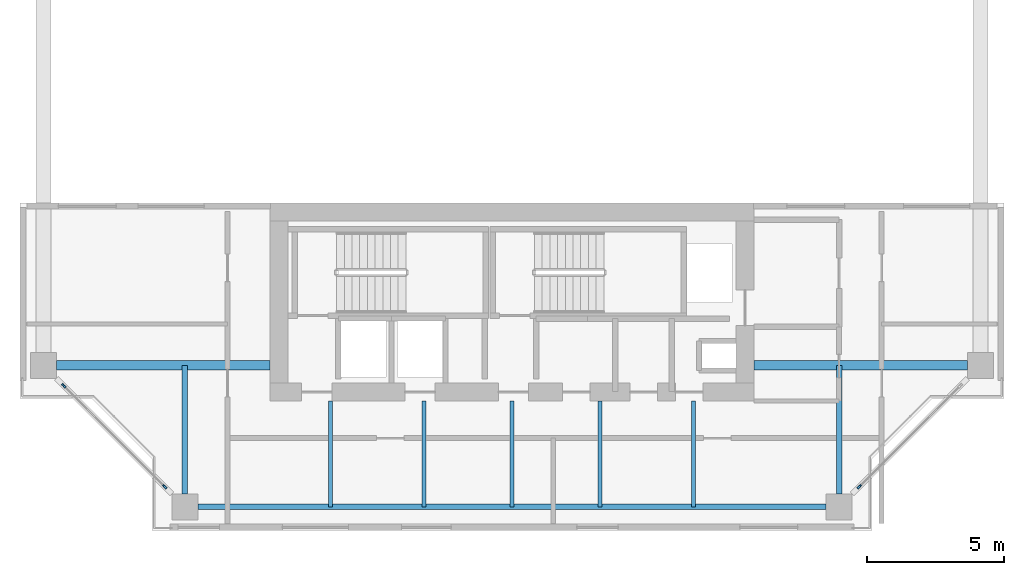
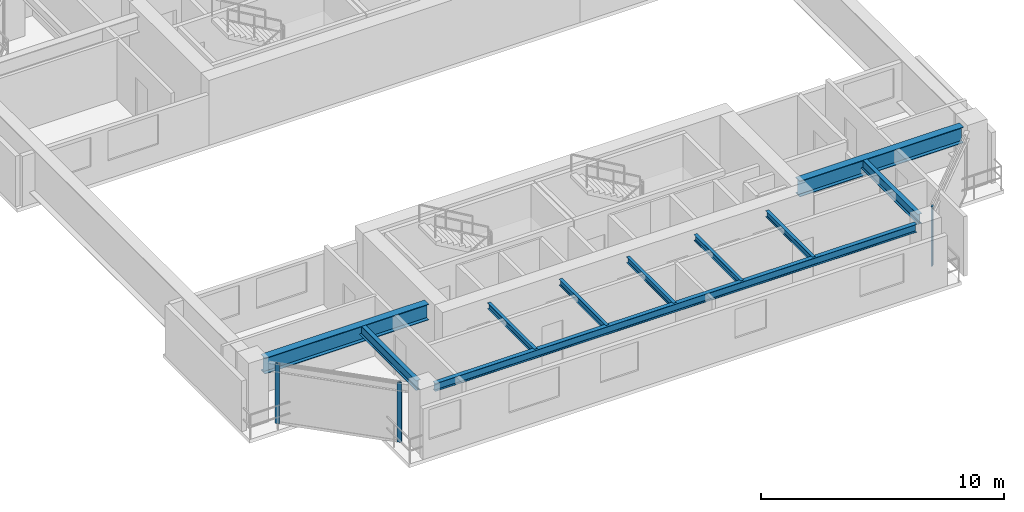
# One storey, part 2 of 12: 10 beams, 3 members, 2 elements without a shape of their own.
"""IFC4 building model written with IfcOpenShell, lengths in metres."""

from ifc_helpers import new_model, si_unit, direction, frame, origin, origin_2d, place, context, subcontext, project, spatial, rectangle, i_section, extrude, source, transform, mapped, material, layer, layer_set, material_profile, profile_set, type_object, element, aggregate, save


model = new_model("IFC4")

# Units and contexts
model_context = context("Model", 3, precision=1e-05, world=origin(), true_north=direction((0.0, 1.0)))
body_context = subcontext(model_context, "Body", "Model", "MODEL_VIEW")
ifc_project = project(units=[si_unit("LENGTHUNIT", "METRE"), si_unit("AREAUNIT", "SQUARE_METRE"), si_unit("VOLUMEUNIT", "CUBIC_METRE"), si_unit("PLANEANGLEUNIT", "RADIAN"), si_unit("MASSUNIT", "GRAM", prefix="KILO"), si_unit("THERMODYNAMICTEMPERATUREUNIT", "KELVIN"), si_unit("POWERUNIT", "WATT")], contexts=[model_context])

# Site, building, storey
site_placement = place(None, origin())
site = spatial("IfcSite", under=ifc_project, at=site_placement, CompositionType="ELEMENT")
building_placement = place(site_placement, origin())
building = spatial("IfcBuilding", under=site, at=building_placement, Name="Qiaomeng Ring Towers", CompositionType="ELEMENT")
storey_placement = place(building_placement, frame((0.0, 0.0, 169.75)))
storey = spatial("IfcBuildingStorey", under=building, at=storey_placement, Name="L49", CompositionType="ELEMENT", Elevation=169.75)

# Beams
ifc_material_1 = material(Name="Steel Q355B", Category="steel")
ifc_material_profile_1 = material_profile(ifc_material_1, i_section(OverallWidth=0.14990234375, OverallDepth=0.300048828125, WebThickness=0.006591796875, FlangeThickness=0.009033203125, FilletRadius=0.012939453125, at=origin_2d()), Name="HN 300x150x6.5x9")
ifc_profile_set_1 = profile_set([ifc_material_profile_1], Name="Steel Q355B")
beam_type_1 = type_object("IfcBeamType", Name="STR-BM-HN300", PredefinedType="JOIST", material=ifc_profile_set_1)
shared_shape_1 = source(origin(), body_context, "Body", "SweptSolid", [
    extrude(i_section(OverallWidth=0.14990234375, OverallDepth=0.300048828125, WebThickness=0.006591796875, FlangeThickness=0.009033203125, FilletRadius=0.012939453125, at=origin_2d()), origin(), (0.0, 0.0, 1.0), 3.85009765625),
])
for number, where, z_axis, x_axis, name in (
    (1, (12.39990234375, 5.949951171875, 2.85009765625), (0.0, 1.0, 0.0), (-1.0, 0.0, 0.0), "L49 beam STR-JST-L49-T1S-1"),
    (2, (15.800048828125, 5.949951171875, 2.85009765625), (0.0, 1.0, 0.0), (-1.0, 0.0, 0.0), "L49 beam STR-JST-L49-T1S-2"),
    (3, (19.0, 5.949951171875, 2.85009765625), (0.0, 1.0, 0.0), (-1.0, 0.0, 0.0), "L49 beam STR-JST-L49-T1S-3"),
    (4, (22.199951171875, 5.949951171875, 2.85009765625), (0.0, 1.0, 0.0), (-1.0, 0.0, 0.0), "L49 beam STR-JST-L49-T1S-4"),
    (5, (25.60009765625, 5.949951171875, 2.85009765625), (0.0, 1.0, 0.0), (-1.0, 0.0, 0.0), "L49 beam STR-JST-L49-T1S-5"),
):
    element("IfcBeam", number, at=place(storey_placement, frame(where, z_axis=z_axis, x_axis=x_axis)), inside=storey, type_object=beam_type_1, Name=name, PredefinedType="JOIST", context=body_context, shape_type="MappedRepresentation", body=[
        mapped(shared_shape_1, transform((0.0, 0.0, 0.0), x_axis=(1.0, 0.0, 0.0), y_axis=(0.0, 1.0, 0.0), z_axis=(0.0, 0.0, 1.0), scale=1.0)),
    ])
ifc_material_profile_2 = material_profile(ifc_material_1, i_section(OverallWidth=0.199951171875, OverallDepth=0.39990234375, WebThickness=0.008056640625, FlangeThickness=0.012939453125, FilletRadius=0.01611328125, at=origin_2d()), Name="HN 400x200x8x13")
ifc_profile_set_2 = profile_set([ifc_material_profile_2], Name="Steel Q355B")
beam_type_2 = type_object("IfcBeamType", Name="STR-BM-HN400", PredefinedType="SPANDREL", material=ifc_profile_set_2)
shared_shape_2 = source(origin(), body_context, "Body", "SweptSolid", [
    extrude(i_section(OverallWidth=0.199951171875, OverallDepth=0.39990234375, WebThickness=0.008056640625, FlangeThickness=0.012939453125, FilletRadius=0.01611328125, at=origin_2d()), origin(), (0.0, 0.0, 1.0), 22.85205078125),
])
beam_placement = place(storey_placement, frame((7.573974609375, 5.949951171875, 2.800048828125), z_axis=(1.0, 0.0, 0.0), x_axis=(0.0, 1.0, 0.0)))
element("IfcBeam", 6, at=beam_placement, inside=storey, type_object=beam_type_2, Name="L49 beam STR-SP-L49-T1-S1-S2", PredefinedType="SPANDREL", context=body_context, shape_type="MappedRepresentation", body=[
    mapped(shared_shape_2, transform((0.0, 0.0, 0.0), x_axis=(1.0, 0.0, 0.0), y_axis=(0.0, 1.0, 0.0), z_axis=(0.0, 0.0, 1.0), scale=1.0)),
])
ifc_material_2 = material(Name="Steel Q390GJC", Category="steel")
ifc_material_profile_3 = material_profile(ifc_material_2, i_section(OverallWidth=0.35009765625, OverallDepth=0.800048828125, WebThickness=0.01611328125, FlangeThickness=0.028076171875, at=origin_2d()), Name="WH 800x350x16x28")
ifc_profile_set_3 = profile_set([ifc_material_profile_3], Name="Steel Q390GJC")
beam_type_3 = type_object("IfcBeamType", Name="STR-BM-WH800", PredefinedType="BEAM", material=ifc_profile_set_3)
shared_shape_3 = source(origin(), body_context, "Body", "SweptSolid", [
    extrude(i_section(OverallWidth=0.35009765625, OverallDepth=0.800048828125, WebThickness=0.01611328125, FlangeThickness=0.028076171875, at=origin_2d()), origin(), (0.0, 0.0, 1.0), 7.77587890625),
])
for number, where, z_axis, x_axis, name in (
    (7, (2.424072265625, 11.10009765625, 2.60009765625), (1.0, 0.0, 0.0), (0.0, 1.0, 0.0), "L49 beam STR-BM-L49-T1-RAD-W1"),
    (8, (27.800048828125, 11.10009765625, 2.60009765625), (1.0, 0.0, 0.0), (0.0, 1.0, 0.0), "L49 beam STR-BM-L49-T1-RAD-E1"),
):
    element("IfcBeam", number, at=place(storey_placement, frame(where, z_axis=z_axis, x_axis=x_axis)), inside=storey, type_object=beam_type_3, Name=name, PredefinedType="BEAM", context=body_context, shape_type="MappedRepresentation", body=[
        mapped(shared_shape_3, transform((0.0, 0.0, 0.0), x_axis=(1.0, 0.0, 0.0), y_axis=(0.0, 1.0, 0.0), z_axis=(0.0, 0.0, 1.0), scale=1.0)),
    ])
ifc_material_profile_4 = material_profile(ifc_material_1, i_section(OverallWidth=0.199951171875, OverallDepth=0.5, WebThickness=0.010009765625, FlangeThickness=0.01611328125, FilletRadius=0.02001953125, at=origin_2d()), Name="HN 500x200x10x16")
ifc_profile_set_4 = profile_set([ifc_material_profile_4], Name="Steel Q355B")
beam_type_4 = type_object("IfcBeamType", Name="STR-BM-HN500", PredefinedType="BEAM", material=ifc_profile_set_4)
shared_shape_4 = source(origin(), body_context, "Body", "SweptSolid", [
    extrude(i_section(OverallWidth=0.199951171875, OverallDepth=0.5, WebThickness=0.010009765625, FlangeThickness=0.01611328125, FilletRadius=0.02001953125, at=origin_2d()), origin(), (0.0, 0.0, 1.0), 4.676025390625),
])
for number, where, z_axis, x_axis, name in (
    (9, (7.10009765625, 6.424072265625, 2.75), (0.0, 1.0, 0.0), (-1.0, 0.0, 0.0), "L49 beam STR-BM-L49-T1-RAD-S1"),
    (10, (30.89990234375, 6.424072265625, 2.75), (0.0, 1.0, 0.0), (-1.0, 0.0, 0.0), "L49 beam STR-BM-L49-T1-RAD-S2"),
):
    element("IfcBeam", number, at=place(storey_placement, frame(where, z_axis=z_axis, x_axis=x_axis)), inside=storey, type_object=beam_type_4, Name=name, PredefinedType="BEAM", context=body_context, shape_type="MappedRepresentation", body=[
        mapped(shared_shape_4, transform((0.0, 0.0, 0.0), x_axis=(1.0, 0.0, 0.0), y_axis=(0.0, 1.0, 0.0), z_axis=(0.0, 0.0, 1.0), scale=1.0)),
    ])

# Curtain wall, member
ifc_material_3 = material(Name="Fluorocarbon dark-grey aluminium", Category="aluminium")
ifc_layer = layer(ifc_material_3, 0.14990234375, Name="Fluorocarbon dark-grey aluminium")
ifc_layer_set = layer_set([ifc_layer], Name="Fluorocarbon dark-grey aluminium")
curtain_wall_type = type_object("IfcCurtainWallType", Name="ARC-CW-3", PredefinedType="NOTDEFINED", material=ifc_layer_set)
curtain_wall_1_placement = place(storey_placement, origin())
curtain_wall_1 = element("IfcCurtainWall", 11, at=curtain_wall_1_placement, inside=storey, type_object=curtain_wall_type, Name="L49 Curtain Wall CW3", PredefinedType="NOTDEFINED")
ifc_material_profile_5 = material_profile(ifc_material_3, rectangle(XDim=0.070068359375, YDim=0.179931640625, at=origin_2d()), Name="ALU MULL 70x180")
ifc_profile_set_5 = profile_set([ifc_material_profile_5], Name="Fluorocarbon dark-grey aluminium")
member_type = type_object("IfcMemberType", Name="ARC-CWM-160", PredefinedType="MULLION", material=ifc_profile_set_5)
shared_shape_5 = source(origin(), body_context, "Body", "SweptSolid", [
    extrude(rectangle(XDim=0.070068359375, YDim=0.179931640625, at=origin_2d()), origin(), (0.0, 0.0, 1.0), 3.0),
])
member_1_placement = place(storey_placement, frame((31.6396484375, 6.689697265625, 0.0), z_axis=(0.0, 0.0, 1.0), x_axis=(-0.707106781187, 0.707106781187, 0.0)))
member_1 = element("IfcMember", 12, at=member_1_placement, type_object=member_type, Name="CW3 mullion 1", PredefinedType="MULLION", context=body_context, shape_type="MappedRepresentation", body=[
    mapped(shared_shape_5, transform((0.0, 0.0, 0.0), x_axis=(1.0, 0.0, 0.0), y_axis=(0.0, 1.0, 0.0), z_axis=(0.0, 0.0, 1.0), scale=1.0)),
])
aggregate(curtain_wall_1, [member_1])

# Curtain wall, members
curtain_wall_2_placement = place(storey_placement, origin())
curtain_wall_2 = element("IfcCurtainWall", 13, at=curtain_wall_2_placement, inside=storey, type_object=curtain_wall_type, Name="L49 Curtain Wall CW3", PredefinedType="NOTDEFINED")
member_2_placement = place(storey_placement, frame((2.689697265625, 10.3603515625, 0.0), z_axis=(0.0, 0.0, 1.0), x_axis=(0.707106781187, 0.707106781187, 0.0)))
member_2 = element("IfcMember", 14, at=member_2_placement, type_object=member_type, Name="CW3 mullion 1", PredefinedType="MULLION", context=body_context, shape_type="MappedRepresentation", body=[
    mapped(shared_shape_5, transform((0.0, 0.0, 0.0), x_axis=(1.0, 0.0, 0.0), y_axis=(0.0, 1.0, 0.0), z_axis=(0.0, 0.0, 1.0), scale=1.0)),
])
member_3_placement = place(storey_placement, frame((6.3603515625, 6.689697265625, 0.0), z_axis=(0.0, 0.0, 1.0), x_axis=(0.707106781187, 0.707106781187, 0.0)))
member_3 = element("IfcMember", 15, at=member_3_placement, type_object=member_type, Name="CW3 mullion 2", PredefinedType="MULLION", context=body_context, shape_type="MappedRepresentation", body=[
    mapped(shared_shape_5, transform((0.0, 0.0, 0.0), x_axis=(1.0, 0.0, 0.0), y_axis=(0.0, 1.0, 0.0), z_axis=(0.0, 0.0, 1.0), scale=1.0)),
])
aggregate(curtain_wall_2, [member_2, member_3])

save(model, "model.ifc")
